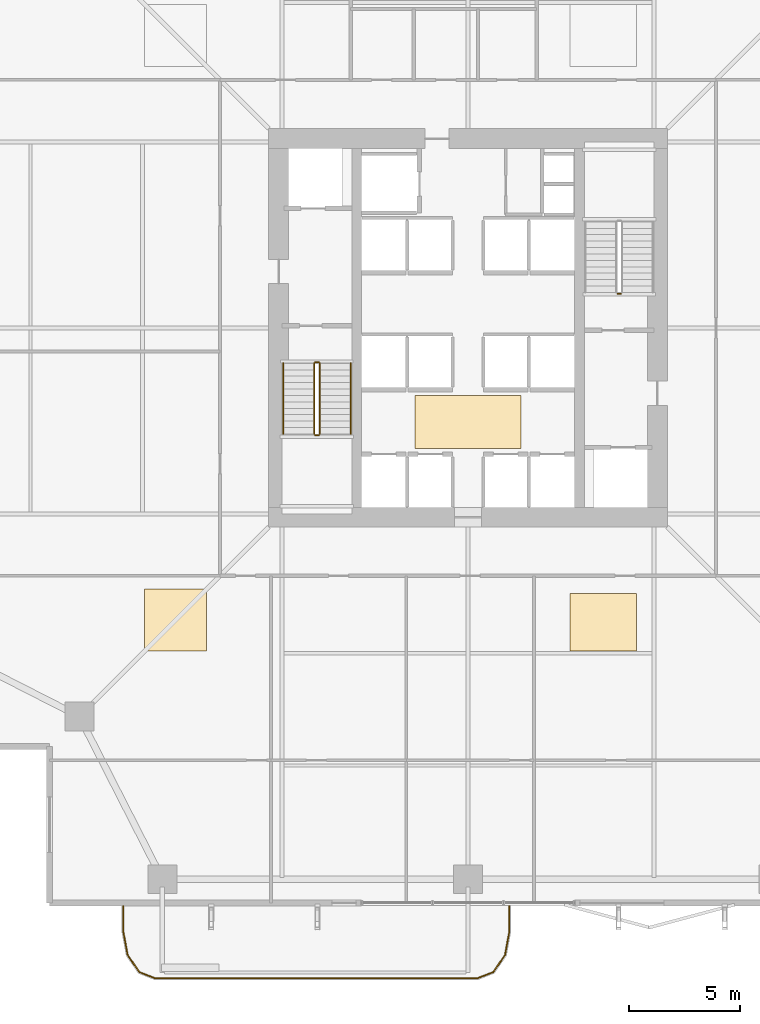
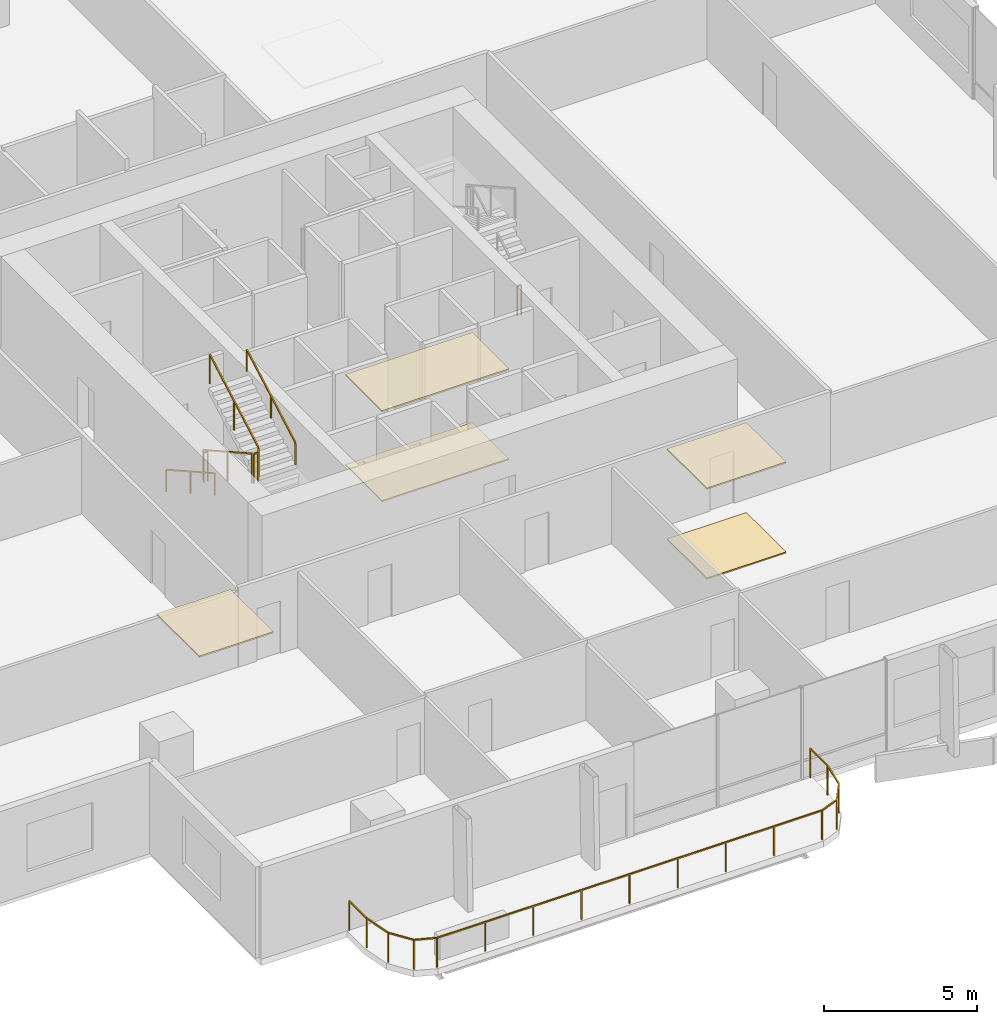
# One storey, part 21 of 23: 8 railings, 5 coverings.
"""IFC4 building model written with IfcOpenShell, lengths in metres."""

from ifc_helpers import new_model, si_unit, direction, frame, origin, origin_2d, place, context, subcontext, project, spatial, polyline, rectangle, outline, extrude, material, layer, layer_set, type_object, element, save


model = new_model("IFC4")

# Units and contexts
model_context = context("Model", 3, precision=1e-05, world=origin(), true_north=direction((0.0, 1.0)))
body_context = subcontext(model_context, "Body", "Model", "MODEL_VIEW")
ifc_project = project(units=[si_unit("LENGTHUNIT", "METRE"), si_unit("AREAUNIT", "SQUARE_METRE"), si_unit("VOLUMEUNIT", "CUBIC_METRE"), si_unit("PLANEANGLEUNIT", "RADIAN"), si_unit("MASSUNIT", "GRAM", prefix="KILO")], contexts=[model_context])

# Site, building, storey
site_placement = place(None, origin())
site = spatial("IfcSite", under=ifc_project, at=site_placement, CompositionType="ELEMENT")
building_placement = place(site_placement, origin())
building = spatial("IfcBuilding", under=site, at=building_placement, Name="Belovzor Exchange Tower", CompositionType="ELEMENT")
storey_placement = place(building_placement, frame((0.0, 0.0, 125.10009765625)))
storey = spatial("IfcBuildingStorey", under=building, at=storey_placement, Name="L30", CompositionType="ELEMENT", Elevation=125.10009765625)

# Railings
ifc_material_1 = material(Name="Stainless Steel Grade 304", Category="steel")
railing_type_1 = type_object("IfcRailingType", Name="Brushed Stainless Steel Stair Handrail 900", PredefinedType="HANDRAIL", material=ifc_material_1)
railing_1_placement = place(storey_placement, frame((20.449951171875, 27.199951171875, 0.162353515625)))
element("IfcRailing", 1, at=railing_1_placement, inside=storey, type_object=railing_type_1, Name="L30 ST-1 stair handrail 1", PredefinedType="HANDRAIL", context=body_context, shape_type="SweptSolid", body=[
    extrude(rectangle(XDim=0.048095703125, YDim=0.048095703125, at=origin_2d()), frame((0.0, 0.0, 0.8759765625), z_axis=(0.0, -0.8723625253, 0.488859514025), x_axis=(1.0, 0.0, 0.0)), (0.0, 0.0, 1.0), 3.65673828125),
    extrude(rectangle(XDim=0.0419921875, YDim=0.0419921875, at=origin_2d()), origin(), (0.0, 0.0, 1.0), 0.851806640625),
    extrude(rectangle(XDim=0.0419921875, YDim=0.0419921875, at=origin_2d()), frame((0.0, -1.594970703125, 0.893798828125)), (0.0, 0.0, 1.0), 0.851806640625),
    extrude(rectangle(XDim=0.0419921875, YDim=0.0419921875, at=origin_2d()), frame((0.0, -3.18994140625, 1.78759765625)), (0.0, 0.0, 1.0), 0.851806640625),
])
railing_2_placement = place(storey_placement, frame((23.5, 24.010009765625, 2.1123046875)))
element("IfcRailing", 2, at=railing_2_placement, inside=storey, type_object=railing_type_1, Name="L30 ST-1 stair handrail 2", PredefinedType="HANDRAIL", context=body_context, shape_type="SweptSolid", body=[
    extrude(rectangle(XDim=0.048095703125, YDim=0.048095703125, at=origin_2d()), frame((0.0, 0.0, 0.8759765625), z_axis=(0.0, 0.8723625253, 0.488859514025), x_axis=(-1.0, 0.0, 0.0)), (0.0, 0.0, 1.0), 3.65673828125),
    extrude(rectangle(XDim=0.0419921875, YDim=0.0419921875, at=origin_2d()), origin(), (0.0, 0.0, 1.0), 0.851806640625),
    extrude(rectangle(XDim=0.0419921875, YDim=0.0419921875, at=origin_2d()), frame((0.0, 1.594970703125, 0.893798828125)), (0.0, 0.0, 1.0), 0.851806640625),
    extrude(rectangle(XDim=0.0419921875, YDim=0.0419921875, at=origin_2d()), frame((0.0, 3.18994140625, 1.78759765625)), (0.0, 0.0, 1.0), 0.851806640625),
])
ifc_material_2 = material(Name="Stainless Steel and Laminated Safety Glass", Category="steel")
railing_type_2 = type_object("IfcRailingType", Name="Laminated Glass & Stainless Steel Balcony Balustrade 1200", PredefinedType="BALUSTRADE", material=ifc_material_2)
railing_3_placement = place(storey_placement, frame((13.22998046875, 2.68994140625, 0.0)))
element("IfcRailing", 3, at=railing_3_placement, inside=storey, type_object=railing_type_2, Name="GR-1 Balcony Balustrade L30 South", PredefinedType="BALUSTRADE", context=body_context, shape_type="SweptSolid", body=[
    extrude(rectangle(XDim=0.048095703125, YDim=0.048095703125, at=origin_2d()), frame((0.0, 0.0, 1.17578125), z_axis=(0.0, -1.0, 0.0), x_axis=(1.0, 0.0, 0.0)), (0.0, 0.0, 1.0), 1.133056640625),
    extrude(rectangle(XDim=0.048095703125, YDim=0.048095703125, at=origin_2d()), frame((0.0, -1.133056640625, 1.17578125), z_axis=(0.180122719713, -0.983644145941, 0.0), x_axis=(0.983644145941, 0.180122719713, 0.0)), (0.0, 0.0, 1.0), 1.09375),
    extrude(rectangle(XDim=0.048095703125, YDim=0.048095703125, at=origin_2d()), frame((0.197021484375, -2.208984375, 1.17578125), z_axis=(0.562768145367, -0.826614792125, 0.0), x_axis=(0.826614792125, 0.562768145367, 0.0)), (0.0, 0.0, 1.0), 0.9326171875),
    extrude(rectangle(XDim=0.048095703125, YDim=0.048095703125, at=origin_2d()), frame((0.721923828125, -2.97998046875, 1.17578125), z_axis=(0.930809580156, -0.365504480807, 0.0), x_axis=(0.365504480807, 0.930809580156, 0.0)), (0.0, 0.0, 1.0), 0.76611328125),
    extrude(rectangle(XDim=0.048095703125, YDim=0.048095703125, at=origin_2d()), frame((1.43505859375, -3.260009765625, 1.17578125), z_axis=(1.0, 0.0, 0.0), x_axis=(0.0, 1.0, 0.0)), (0.0, 0.0, 1.0), 14.570068359375),
    extrude(rectangle(XDim=0.048095703125, YDim=0.048095703125, at=origin_2d()), frame((16.005126953125, -3.260009765625, 1.17578125), z_axis=(0.930766990125, 0.365612923861, 0.0), x_axis=(-0.365612923861, 0.930766990125, 0.0)), (0.0, 0.0, 1.0), 0.765869140625),
    extrude(rectangle(XDim=0.048095703125, YDim=0.048095703125, at=origin_2d()), frame((16.718017578125, -2.97998046875, 1.17578125), z_axis=(0.562768145367, 0.826614792125, 0.0), x_axis=(-0.826614792125, 0.562768145367, 0.0)), (0.0, 0.0, 1.0), 0.9326171875),
    extrude(rectangle(XDim=0.048095703125, YDim=0.048095703125, at=origin_2d()), frame((17.242919921875, -2.208984375, 1.17578125), z_axis=(0.180122719713, 0.983644145941, 0.0), x_axis=(-0.983644145941, 0.180122719713, 0.0)), (0.0, 0.0, 1.0), 1.09375),
    extrude(rectangle(XDim=0.048095703125, YDim=0.048095703125, at=origin_2d()), frame((17.43994140625, -1.133056640625, 1.17578125), z_axis=(0.0, 1.0, 0.0), x_axis=(-1.0, 0.0, 0.0)), (0.0, 0.0, 1.0), 1.133056640625),
    extrude(rectangle(XDim=0.0419921875, YDim=0.0419921875, at=origin_2d()), origin(), (0.0, 0.0, 1.0), 1.15185546875),
    extrude(rectangle(XDim=0.0419921875, YDim=0.0419921875, at=origin_2d()), frame((0.0, -1.133056640625, 0.0)), (0.0, 0.0, 1.0), 1.15185546875),
    extrude(rectangle(XDim=0.0419921875, YDim=0.0419921875, at=origin_2d()), frame((0.197021484375, -2.208984375, 0.0)), (0.0, 0.0, 1.0), 1.15185546875),
    extrude(rectangle(XDim=0.0419921875, YDim=0.0419921875, at=origin_2d()), frame((0.721923828125, -2.97998046875, 0.0)), (0.0, 0.0, 1.0), 1.15185546875),
    extrude(rectangle(XDim=0.0419921875, YDim=0.0419921875, at=origin_2d()), frame((1.43505859375, -3.260009765625, 0.0)), (0.0, 0.0, 1.0), 1.15185546875),
    extrude(rectangle(XDim=0.0419921875, YDim=0.0419921875, at=origin_2d()), frame((3.25634765625, -3.260009765625, 0.0)), (0.0, 0.0, 1.0), 1.15185546875),
    extrude(rectangle(XDim=0.0419921875, YDim=0.0419921875, at=origin_2d()), frame((5.07763671875, -3.260009765625, 0.0)), (0.0, 0.0, 1.0), 1.15185546875),
    extrude(rectangle(XDim=0.0419921875, YDim=0.0419921875, at=origin_2d()), frame((6.89892578125, -3.260009765625, 0.0)), (0.0, 0.0, 1.0), 1.15185546875),
    extrude(rectangle(XDim=0.0419921875, YDim=0.0419921875, at=origin_2d()), frame((8.72021484375, -3.260009765625, 0.0)), (0.0, 0.0, 1.0), 1.15185546875),
    extrude(rectangle(XDim=0.0419921875, YDim=0.0419921875, at=origin_2d()), frame((10.541259765625, -3.260009765625, 0.0)), (0.0, 0.0, 1.0), 1.15185546875),
    extrude(rectangle(XDim=0.0419921875, YDim=0.0419921875, at=origin_2d()), frame((12.362548828125, -3.260009765625, 0.0)), (0.0, 0.0, 1.0), 1.15185546875),
    extrude(rectangle(XDim=0.0419921875, YDim=0.0419921875, at=origin_2d()), frame((14.183837890625, -3.260009765625, 0.0)), (0.0, 0.0, 1.0), 1.15185546875),
    extrude(rectangle(XDim=0.0419921875, YDim=0.0419921875, at=origin_2d()), frame((16.005126953125, -3.260009765625, 0.0)), (0.0, 0.0, 1.0), 1.15185546875),
    extrude(rectangle(XDim=0.0419921875, YDim=0.0419921875, at=origin_2d()), frame((16.718017578125, -2.97998046875, 0.0)), (0.0, 0.0, 1.0), 1.15185546875),
    extrude(rectangle(XDim=0.0419921875, YDim=0.0419921875, at=origin_2d()), frame((17.242919921875, -2.208984375, 0.0)), (0.0, 0.0, 1.0), 1.15185546875),
    extrude(rectangle(XDim=0.0419921875, YDim=0.0419921875, at=origin_2d()), frame((17.43994140625, -1.133056640625, 0.0)), (0.0, 0.0, 1.0), 1.15185546875),
    extrude(rectangle(XDim=0.0419921875, YDim=0.0419921875, at=origin_2d()), frame((17.43994140625, 0.0, 0.0)), (0.0, 0.0, 1.0), 1.15185546875),
])
ifc_material_3 = material(Name="Steel S355", Category="steel")
railing_type_3 = type_object("IfcRailingType", Name="Painted Steel Stairwell Guardrail 1200", PredefinedType="GUARDRAIL", material=ifc_material_3)
railing_4_placement = place(storey_placement, frame((21.85009765625, 27.199951171875, 0.162353515625)))
element("IfcRailing", 4, at=railing_4_placement, inside=storey, type_object=railing_type_3, Name="L30 ST-1 stair guard 1", PredefinedType="GUARDRAIL", context=body_context, shape_type="SweptSolid", body=[
    extrude(rectangle(XDim=0.048095703125, YDim=0.048095703125, at=origin_2d()), frame((0.0, 0.0, 1.17578125), z_axis=(0.0, -0.8723625253, 0.488859514025), x_axis=(1.0, 0.0, 0.0)), (0.0, 0.0, 1.0), 3.65673828125),
    extrude(rectangle(XDim=0.0419921875, YDim=0.0419921875, at=origin_2d()), origin(), (0.0, 0.0, 1.0), 1.15185546875),
    extrude(rectangle(XDim=0.0419921875, YDim=0.0419921875, at=origin_2d()), frame((0.0, -1.594970703125, 0.893798828125)), (0.0, 0.0, 1.0), 1.15185546875),
    extrude(rectangle(XDim=0.0419921875, YDim=0.0419921875, at=origin_2d()), frame((0.0, -3.18994140625, 1.78759765625)), (0.0, 0.0, 1.0), 1.15185546875),
])
railing_5_placement = place(storey_placement, frame((21.89990234375, 23.9599609375, 1.949951171875)))
element("IfcRailing", 5, at=railing_5_placement, inside=storey, type_object=railing_type_3, Name="L30 ST-1 stair guard 2", PredefinedType="GUARDRAIL", context=body_context, shape_type="SweptSolid", body=[
    extrude(rectangle(XDim=0.048095703125, YDim=0.048095703125, at=origin_2d()), frame((0.0, 0.0, 1.17578125), z_axis=(1.0, 0.0, 0.0), x_axis=(0.0, 1.0, 0.0)), (0.0, 0.0, 1.0), 0.150146484375),
    extrude(rectangle(XDim=0.0419921875, YDim=0.0419921875, at=origin_2d()), origin(), (0.0, 0.0, 1.0), 1.15185546875),
    extrude(rectangle(XDim=0.0419921875, YDim=0.0419921875, at=origin_2d()), frame((0.150146484375, 0.0, 0.0)), (0.0, 0.0, 1.0), 1.15185546875),
])
railing_6_placement = place(storey_placement, frame((22.10009765625, 24.010009765625, 2.1123046875)))
element("IfcRailing", 6, at=railing_6_placement, inside=storey, type_object=railing_type_3, Name="L30 ST-1 stair guard 3", PredefinedType="GUARDRAIL", context=body_context, shape_type="SweptSolid", body=[
    extrude(rectangle(XDim=0.048095703125, YDim=0.048095703125, at=origin_2d()), frame((0.0, 0.0, 1.17578125), z_axis=(0.0, 0.8723625253, 0.488859514025), x_axis=(-1.0, 0.0, 0.0)), (0.0, 0.0, 1.0), 3.65673828125),
    extrude(rectangle(XDim=0.0419921875, YDim=0.0419921875, at=origin_2d()), origin(), (0.0, 0.0, 1.0), 1.15185546875),
    extrude(rectangle(XDim=0.0419921875, YDim=0.0419921875, at=origin_2d()), frame((0.0, 1.594970703125, 0.893798828125)), (0.0, 0.0, 1.0), 1.15185546875),
    extrude(rectangle(XDim=0.0419921875, YDim=0.0419921875, at=origin_2d()), frame((0.0, 3.18994140625, 1.78759765625)), (0.0, 0.0, 1.0), 1.15185546875),
])
railing_7_placement = place(storey_placement, frame((21.89990234375, 27.25, 0.0)))
element("IfcRailing", 7, at=railing_7_placement, inside=storey, type_object=railing_type_3, Name="L30 ST-1 stair guard 4", PredefinedType="GUARDRAIL", context=body_context, shape_type="SweptSolid", body=[
    extrude(rectangle(XDim=0.048095703125, YDim=0.048095703125, at=origin_2d()), frame((0.0, 0.0, 1.17578125), z_axis=(1.0, 0.0, 0.0), x_axis=(0.0, 1.0, 0.0)), (0.0, 0.0, 1.0), 0.150146484375),
    extrude(rectangle(XDim=0.0419921875, YDim=0.0419921875, at=origin_2d()), origin(), (0.0, 0.0, 1.0), 1.15185546875),
    extrude(rectangle(XDim=0.0419921875, YDim=0.0419921875, at=origin_2d()), frame((0.150146484375, 0.0, 0.0)), (0.0, 0.0, 1.0), 1.15185546875),
])
railing_8_placement = place(storey_placement, frame((35.699951171875, 30.35009765625, 0.0)))
element("IfcRailing", 8, at=railing_8_placement, inside=storey, type_object=railing_type_3, Name="L30 ST-2 stair guard 4", PredefinedType="GUARDRAIL", context=body_context, shape_type="SweptSolid", body=[
    extrude(rectangle(XDim=0.048095703125, YDim=0.048095703125, at=origin_2d()), frame((0.0, 0.0, 1.17578125), z_axis=(-1.0, 0.0, 0.0), x_axis=(0.0, -1.0, 0.0)), (0.0, 0.0, 1.0), 0.14990234375),
    extrude(rectangle(XDim=0.0419921875, YDim=0.0419921875, at=origin_2d()), origin(), (0.0, 0.0, 1.0), 1.15185546875),
    extrude(rectangle(XDim=0.0419921875, YDim=0.0419921875, at=origin_2d()), frame((-0.14990234375, 0.0, 0.0)), (0.0, 0.0, 1.0), 1.15185546875),
])

# Coverings
ifc_material_4 = material(Name="Perforated Powder-Coated Aluminium", Category="aluminium")
ifc_layer_1 = layer(ifc_material_4, 0.06005859375)
ifc_layer_set_1 = layer_set([ifc_layer_1], Name="Perforated Powder-Coated Aluminium")
covering_type_1 = type_object("IfcCoveringType", Name="Perforated Acoustic Metal Tile Suspended Ceiling 60", PredefinedType="CEILING", material=ifc_layer_set_1)
covering_1_placement = place(storey_placement, frame((0.0, 0.0, 3.58984375)))
element("IfcCovering", 9, at=covering_1_placement, inside=storey, type_object=covering_type_1, Name="CLG-AC60 Suspended Ceiling CLG-L30-LOB", PredefinedType="CEILING", context=body_context, shape_type="SweptSolid", body=[
    extrude(outline(polyline([(26.39990234375, 23.35009765625), (31.199951171875, 23.35009765625), (31.199951171875, 25.75), (26.39990234375, 25.75), (26.39990234375, 23.35009765625)])), origin(), (0.0, 0.0, 1.0), 0.06005859375),
])
covering_2_placement = place(storey_placement, frame((0.0, 0.0, 3.58984375)))
element("IfcCovering", 10, at=covering_2_placement, inside=storey, type_object=covering_type_1, Name="CLG-AC60 Suspended Ceiling CLG-L30-Z0", PredefinedType="CEILING", context=body_context, shape_type="SweptSolid", body=[
    extrude(outline(polyline([(14.199951171875, 14.199951171875), (17.0, 14.199951171875), (17.0, 17.0), (14.199951171875, 17.0), (14.199951171875, 14.199951171875)])), origin(), (0.0, 0.0, 1.0), 0.06005859375),
])
covering_3_placement = place(storey_placement, frame((0.0, 0.0, 3.58984375)))
element("IfcCovering", 11, at=covering_3_placement, inside=storey, type_object=covering_type_1, Name="CLG-AC60 Suspended Ceiling CLG-L30-Z1", PredefinedType="CEILING", context=body_context, shape_type="SweptSolid", body=[
    extrude(outline(polyline([(33.39990234375, 14.199951171875), (36.39990234375, 14.199951171875), (36.39990234375, 16.800048828125), (33.39990234375, 16.800048828125), (33.39990234375, 14.199951171875)])), origin(), (0.0, 0.0, 1.0), 0.06005859375),
])
ifc_material_5 = material(Name="Polished Natural Granite Tile", Category="masonry")
ifc_layer_2 = layer(ifc_material_5, 0.050048828125)
ifc_layer_set_2 = layer_set([ifc_layer_2], Name="Polished Natural Granite Tile")
covering_type_2 = type_object("IfcCoveringType", Name="Polished Karelian Granite & Raised Access Floor Finish 50", PredefinedType="FLOORING", material=ifc_layer_set_2)
covering_4_placement = place(storey_placement, origin())
element("IfcCovering", 12, at=covering_4_placement, inside=storey, type_object=covering_type_2, Name="FLR-GR50 Floor Finish FLR-L30-LOB", PredefinedType="FLOORING", context=body_context, shape_type="SweptSolid", body=[
    extrude(outline(polyline([(26.39990234375, 23.35009765625), (31.199951171875, 23.35009765625), (31.199951171875, 25.75), (26.39990234375, 25.75), (26.39990234375, 23.35009765625)])), origin(), (0.0, 0.0, 1.0), 0.0498046875),
])
covering_5_placement = place(storey_placement, origin())
element("IfcCovering", 13, at=covering_5_placement, inside=storey, type_object=covering_type_2, Name="FLR-GR50 Floor Finish FLR-L30-Z1", PredefinedType="FLOORING", context=body_context, shape_type="SweptSolid", body=[
    extrude(outline(polyline([(33.39990234375, 14.199951171875), (36.39990234375, 14.199951171875), (36.39990234375, 16.800048828125), (33.39990234375, 16.800048828125), (33.39990234375, 14.199951171875)])), origin(), (0.0, 0.0, 1.0), 0.0498046875),
])

save(model, "model.ifc")
